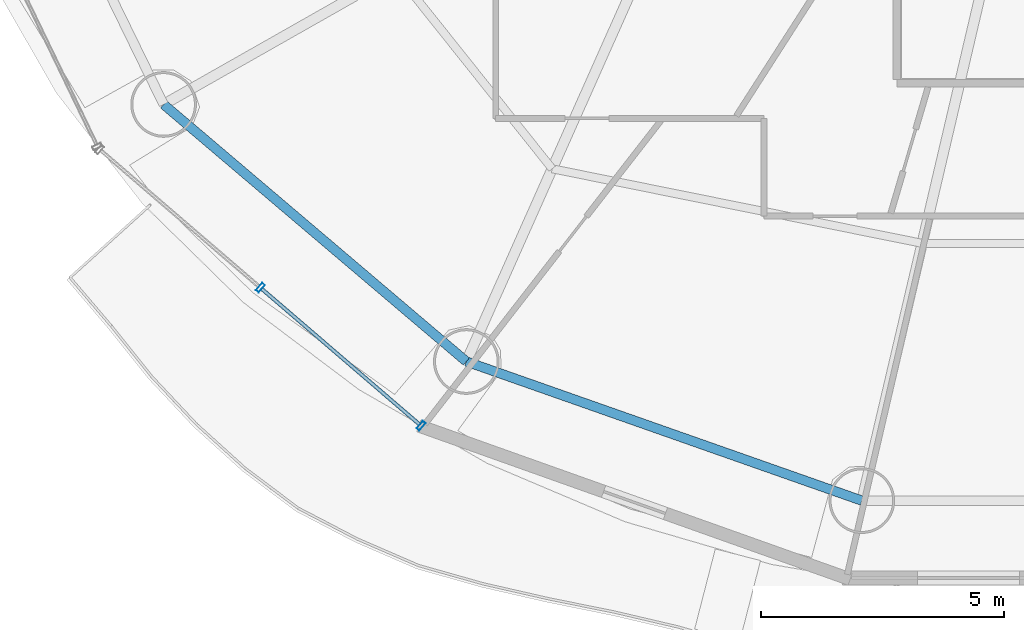
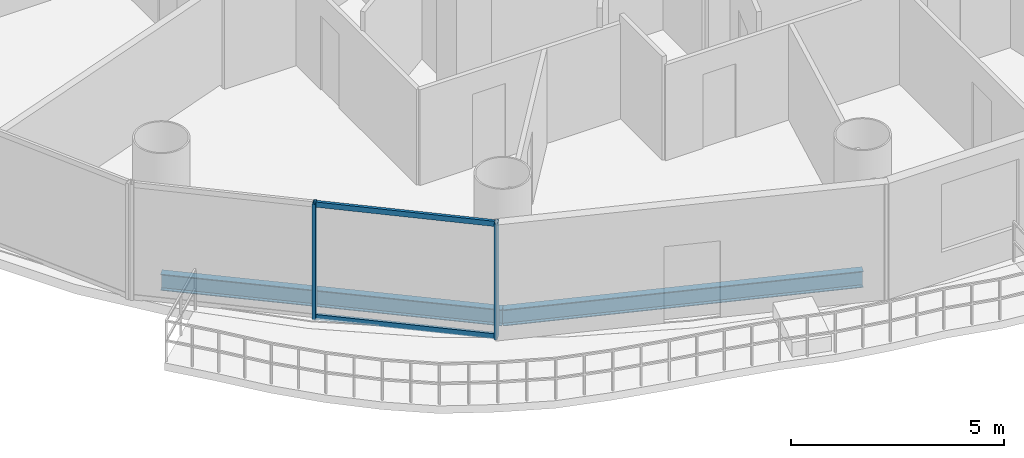
# One storey, part 2 of 27: 4 members, 2 beams, 1 element without a shape of its own.
"""IFC4 building model written with IfcOpenShell, lengths in metres."""

from ifc_helpers import new_model, si_unit, direction, frame, origin, origin_2d, place, context, subcontext, project, spatial, hollow_rectangle, i_section, extrude, source, transform, mapped, material, material_profile, profile_set, type_object, element, aggregate, save


model = new_model("IFC4")

# Units and contexts
model_context = context("Model", 3, precision=1e-05, world=origin(), true_north=direction((-0.2419218956, 0.970295726276)))
body_context = subcontext(model_context, "Body", "Model", "MODEL_VIEW")
ifc_project = project(units=[si_unit("LENGTHUNIT", "METRE"), si_unit("AREAUNIT", "SQUARE_METRE"), si_unit("VOLUMEUNIT", "CUBIC_METRE"), si_unit("PLANEANGLEUNIT", "RADIAN"), si_unit("MASSUNIT", "GRAM", prefix="KILO")], contexts=[model_context])

# Site, building, storey
site_placement = place(None, origin())
site = spatial("IfcSite", under=ifc_project, at=site_placement, CompositionType="ELEMENT")
building_placement = place(site_placement, origin())
building = spatial("IfcBuilding", under=site, at=building_placement, Name="Cobrevalo Terracotta Tower", CompositionType="ELEMENT")
storey_placement = place(building_placement, frame((0.0, 0.0, 153.39990234375)))
storey = spatial("IfcBuildingStorey", under=building, at=storey_placement, Name="L40", CompositionType="ELEMENT", Elevation=153.39990234375)

# Beams
ifc_material_1 = material(Name="Steel S355", Category="steel")
ifc_material_profile_1 = material_profile(ifc_material_1, i_section(OverallWidth=0.194091796875, OverallDepth=0.468994140625, WebThickness=0.011474609375, FlangeThickness=0.0205078125, at=origin_2d()), Name="W 460x106")
ifc_profile_set_1 = profile_set([ifc_material_profile_1], Name="Steel S355")
beam_type = type_object("IfcBeamType", Name="Structural Spandrel W 460x106 (Steel S355)", PredefinedType="SPANDREL", material=ifc_profile_set_1)
beam_1_placement = place(storey_placement, frame((19.250244140625, 16.160888671875, -0.50439453125), z_axis=(0.762240337798, -0.647294112003, 0.0), x_axis=(0.647294112003, 0.762240337798, 0.0)))
element("IfcBeam", 1, at=beam_1_placement, inside=storey, type_object=beam_type, Name="L40 perimeter ring spandrel 10", PredefinedType="SPANDREL", context=body_context, shape_type="SweptSolid", body=[
    extrude(i_section(OverallWidth=0.194091796875, OverallDepth=0.468994140625, WebThickness=0.011474609375, FlangeThickness=0.0205078125, at=origin_2d()), origin(), (0.0, 0.0, 1.0), 8.162353515625),
])
beam_2_placement = place(storey_placement, frame((25.471923828125, 10.87744140625, -0.50439453125), z_axis=(0.943341298492, -0.331824041565, 0.0), x_axis=(0.331824041565, 0.943341298492, 0.0)))
element("IfcBeam", 2, at=beam_2_placement, inside=storey, type_object=beam_type, Name="L40 perimeter ring spandrel 11", PredefinedType="SPANDREL", context=body_context, shape_type="SweptSolid", body=[
    extrude(i_section(OverallWidth=0.194091796875, OverallDepth=0.468994140625, WebThickness=0.011474609375, FlangeThickness=0.0205078125, at=origin_2d()), origin(), (0.0, 0.0, 1.0), 8.6171875),
])

# Curtain wall, members
ifc_material_2 = material(Name="Anodized aluminium", Category="aluminium")
curtain_wall_type = type_object("IfcCurtainWallType", Name="Mid-tower high-wind unitised curtain wall CW-U2", PredefinedType="NOTDEFINED", material=ifc_material_2)
curtain_wall_placement = place(storey_placement, origin())
curtain_wall = element("IfcCurtainWall", 3, at=curtain_wall_placement, inside=storey, type_object=curtain_wall_type, Name="L40 curtain wall CW-L40-S10", PredefinedType="NOTDEFINED")
ifc_material_profile_2 = material_profile(ifc_material_2, hollow_rectangle(XDim=0.074951171875, YDim=0.199951171875, WallThickness=0.0048828125, at=origin_2d()), Name="CWM 75x200")
ifc_profile_set_2 = profile_set([ifc_material_profile_2], Name="Anodized aluminium")
member_type_1 = type_object("IfcMemberType", Name="Lower/mid tower unitised mullion 75x200", PredefinedType="MULLION", material=ifc_profile_set_2)
shared_shape_1 = source(origin(), body_context, "Body", "SweptSolid", [
    extrude(hollow_rectangle(XDim=0.074951171875, YDim=0.199951171875, WallThickness=0.0048828125, at=origin_2d()), origin(), (0.0, 0.0, 1.0), 3.330078125),
])
member_1_placement = place(storey_placement, frame((21.237548828125, 12.3955078125, 0.0), z_axis=(0.0, 0.0, 1.0), x_axis=(0.758441546142, -0.65174106905, 0.0)))
member_1 = element("IfcMember", 4, at=member_1_placement, type_object=member_type_1, Name="CW-L40-S10 vertical mullion 02", PredefinedType="MULLION", context=body_context, shape_type="MappedRepresentation", body=[
    mapped(shared_shape_1, transform((0.0, 0.0, 0.0), scale=1.0)),
])
member_2_placement = place(storey_placement, frame((24.54150390625, 9.556396484375, 0.0), z_axis=(0.0, 0.0, 1.0), x_axis=(0.758441546142, -0.65174106905, 0.0)))
member_2 = element("IfcMember", 5, at=member_2_placement, type_object=member_type_1, Name="CW-L40-S10 vertical mullion 03", PredefinedType="MULLION", context=body_context, shape_type="MappedRepresentation", body=[
    mapped(shared_shape_1, transform((0.0, 0.0, 0.0), scale=1.0)),
])
ifc_material_profile_3 = material_profile(ifc_material_2, hollow_rectangle(XDim=0.074951171875, YDim=0.14990234375, WallThickness=0.00439453125, at=origin_2d()), Name="CWT 75x150")
ifc_profile_set_3 = profile_set([ifc_material_profile_3], Name="Anodized aluminium")
member_type_2 = type_object("IfcMemberType", Name="Tower unitised aluminium transom 75x150", PredefinedType="USERDEFINED", material=ifc_profile_set_3)
shared_shape_2 = source(origin(), body_context, "Body", "SweptSolid", [
    extrude(hollow_rectangle(XDim=0.074951171875, YDim=0.14990234375, WallThickness=0.00439453125, at=origin_2d()), origin(), (0.0, 0.0, 1.0), 4.276123046875),
])
member_3_placement = place(storey_placement, frame((21.26806640625, 12.36962890625, 0.050048828125), z_axis=(0.758417719247, -0.651768795764, 0.0), x_axis=(0.651768795764, 0.758417719247, 0.0)))
member_3 = element("IfcMember", 6, at=member_3_placement, type_object=member_type_2, Name="CW-L40-S10 transom B02-T1", ObjectType="TRANSOM", PredefinedType="USERDEFINED", context=body_context, shape_type="MappedRepresentation", body=[
    mapped(shared_shape_2, transform((0.0, 0.0, 0.0), scale=1.0)),
])
member_4_placement = place(storey_placement, frame((21.26806640625, 12.36962890625, 3.280029296875), z_axis=(0.758417719247, -0.651768795764, 0.0), x_axis=(0.651768795764, 0.758417719247, 0.0)))
member_4 = element("IfcMember", 7, at=member_4_placement, type_object=member_type_2, Name="CW-L40-S10 transom B02-T2", ObjectType="TRANSOM", PredefinedType="USERDEFINED", context=body_context, shape_type="MappedRepresentation", body=[
    mapped(shared_shape_2, transform((0.0, 0.0, 0.0), scale=1.0)),
])
aggregate(curtain_wall, [member_1, member_2, member_3, member_4])

save(model, "model.ifc")
